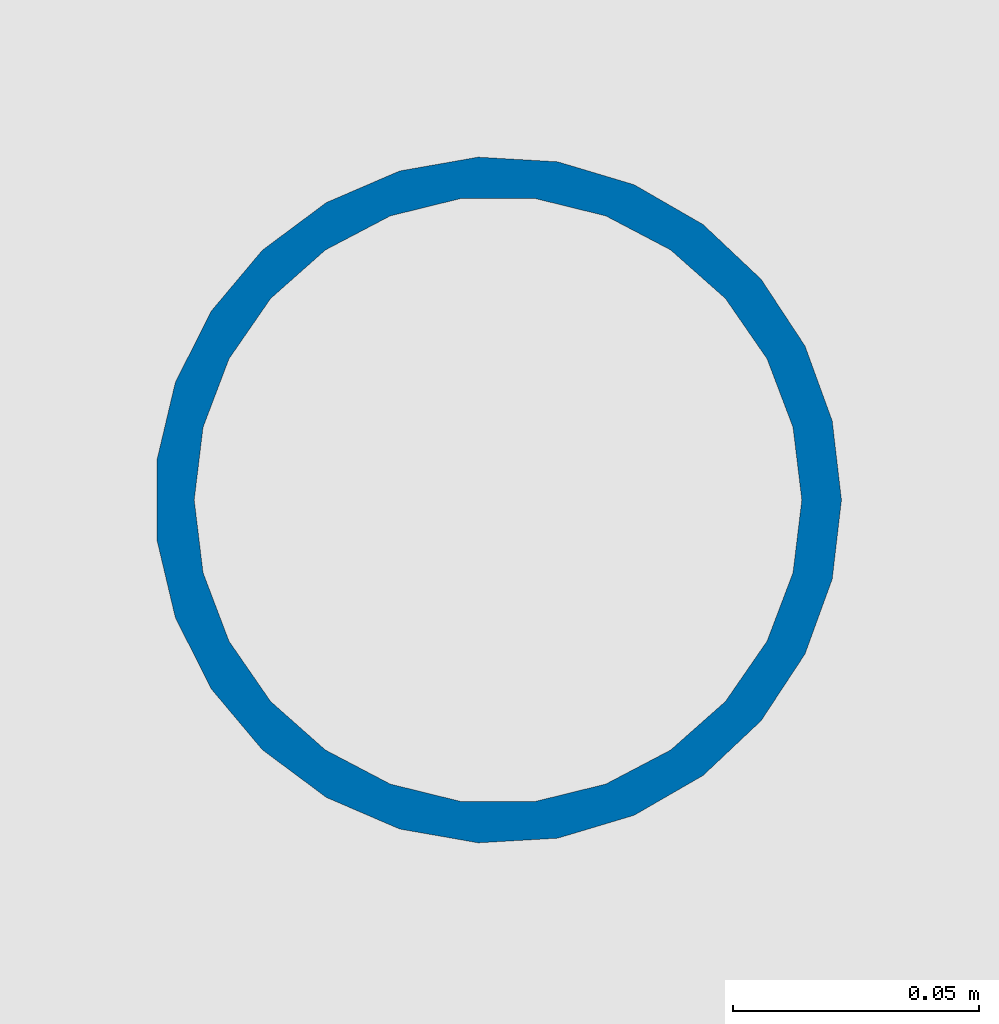
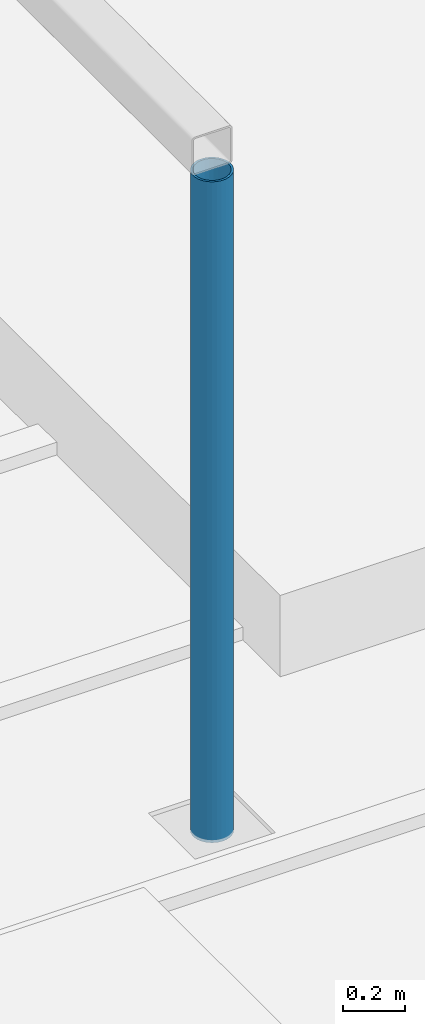
# One storey, part 1 of 153: 1 column.
"""IFC4 building model written with IfcOpenShell, lengths in metres."""

from ifc_helpers import new_model, si_unit, direction, frame, origin, origin_2d, place, context, subcontext, project, spatial, hollow_circle, extrude, material, material_profile, profile_set, type_object, element, save


model = new_model("IFC4")

# Units and contexts
model_context = context("Model", 3, precision=1e-05, world=origin(), true_north=direction((0.0, 1.0)))
body_context = subcontext(model_context, "Body", "Model", "MODEL_VIEW")
ifc_project = project(units=[si_unit("LENGTHUNIT", "METRE"), si_unit("AREAUNIT", "SQUARE_METRE"), si_unit("VOLUMEUNIT", "CUBIC_METRE"), si_unit("PLANEANGLEUNIT", "RADIAN"), si_unit("MASSUNIT", "GRAM", prefix="KILO")], contexts=[model_context])

# Site, building, storey
site_placement = place(None, origin())
site = spatial("IfcSite", under=ifc_project, at=site_placement, CompositionType="ELEMENT")
building_placement = place(site_placement, origin())
building = spatial("IfcBuilding", under=site, at=building_placement, Name="Baradari Gate Terminus", CompositionType="ELEMENT")
storey_placement = place(building_placement, frame((0.0, 0.0, 11.699951171875)))
storey = spatial("IfcBuildingStorey", under=building, at=storey_placement, Name="L02", CompositionType="ELEMENT", Elevation=11.699951171875)

# Column
ifc_material = material(Name="Steel S355", Category="steel")
ifc_material_profile = material_profile(ifc_material, hollow_circle(Radius=0.06982421875, WallThickness=0.008056640625, at=origin_2d()), Name="CHS 139.7x8")
ifc_profile_set = profile_set([ifc_material_profile], Name="Steel S355")
column_type = type_object("IfcColumnType", Name="Pergola post CHS 139.7x8", PredefinedType="COLUMN", material=ifc_profile_set)
column_placement = place(storey_placement, frame((99.0, 18.0, 0.0), z_axis=(0.0, 0.0, 1.0), x_axis=(1.0, 0.0, 0.0)))
element("IfcColumn", 1, at=column_placement, inside=storey, type_object=column_type, Name="RF/L02/PGS1-PGC1", PredefinedType="COLUMN", context=body_context, shape_type="SweptSolid", body=[
    extrude(hollow_circle(Radius=0.06982421875, WallThickness=0.008056640625, at=origin_2d()), origin(), (0.0, 0.0, 1.0), 2.60009765625),
])

save(model, "model.ifc")
